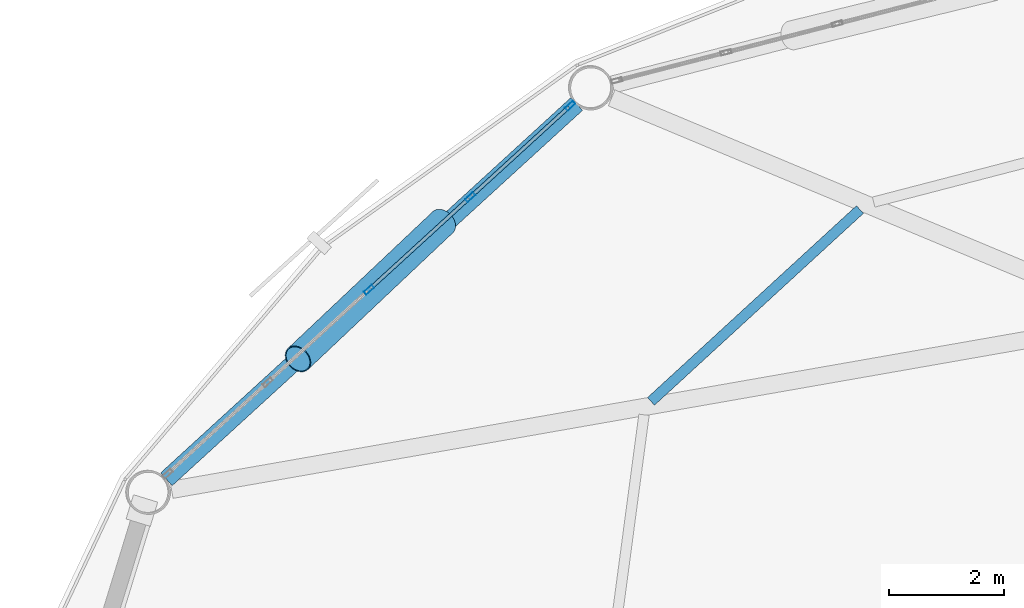
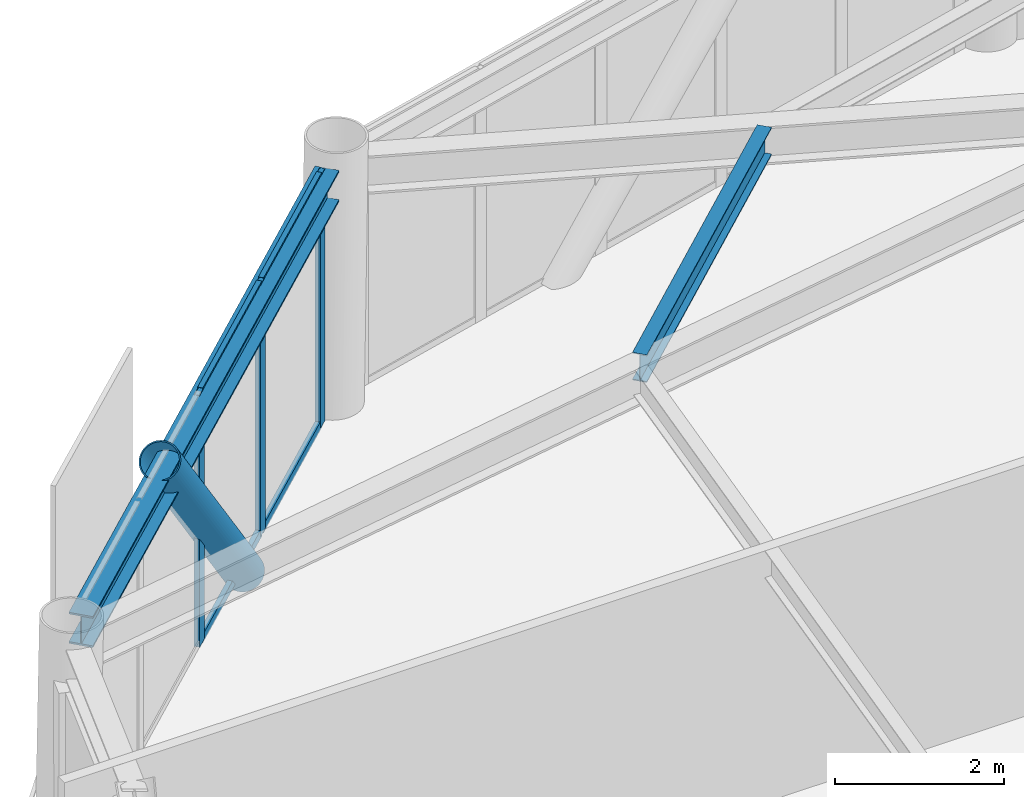
# One storey, part 15 of 25: 8 members, 2 beams, 1 element without a shape of its own.
"""IFC4 building model written with IfcOpenShell, lengths in metres."""

import ifcopenshell
import ifcopenshell.guid

model = None  # the IFC model being written
_history = None  # IfcOwnerHistory: only IFC2X3 demands one
_inside = {}  # id of a spatial element -> (the spatial element, [elements in it])
_under = {}  # id of a project, library or spatial element -> (it, [spatial elements below it])
_declared = {}  # id of a project -> (the project, [libraries it declares])
_typed = {}  # id of a type object -> (the type object, [elements of that type])
_made_of = {}  # id of a material, layer set ... -> (it, [elements and type objects made of it])


def new_model(schema):
    """Start an empty IFC model of exactly this schema.

    Asked for "IFC4X3", IfcOpenShell would pick the latest addendum, in which some entities
    have other attributes; the version numbers below select the first issue.
    IFC2X3 requires an IfcOwnerHistory on every rooted entity: one is made here for all.
    """
    global model, _history
    if schema == "IFC4X3":
        model = ifcopenshell.file(schema_version=(4, 3, 0, 0))
    else:
        model = ifcopenshell.file(schema=schema)
    _inside.clear()
    _under.clear()
    _declared.clear()
    _typed.clear()
    _made_of.clear()
    _history = None
    if model.schema == "IFC2X3":
        org = make("IfcOrganization", Name="unknown")
        user = make(
            "IfcPersonAndOrganization",
            ThePerson=make("IfcPerson", FamilyName="unknown"),
            TheOrganization=org,
        )
        app = make(
            "IfcApplication",
            ApplicationDeveloper=org,
            Version="unknown",
            ApplicationFullName="unknown",
            ApplicationIdentifier="unknown",
        )
        _history = make(
            "IfcOwnerHistory",
            OwningUser=user,
            OwningApplication=app,
            ChangeAction="ADDED",
            CreationDate=0,
        )
    return model


def make(cls, **values):
    """One entity of the class cls with the attributes given. An attribute that is None is left unset."""
    return model.create_entity(
        cls, **{name: value for name, value in values.items() if value is not None}
    )


def rooted(cls, **values):
    """An entity with a GlobalId (a new one), such as an element, a storey or a relation."""
    return make(cls, GlobalId=ifcopenshell.guid.new(), OwnerHistory=_history, **values)


def si_unit(unit_type, name, prefix=None):
    """IfcSIUnit, for example si_unit("LENGTHUNIT", "METRE", prefix="MILLI")."""
    return make("IfcSIUnit", UnitType=unit_type, Prefix=prefix, Name=name)


def assignment(units):
    """IfcUnitAssignment: the units of a project."""
    return None if units is None else make("IfcUnitAssignment", Units=units)


def point(xyz):
    """IfcCartesianPoint."""
    return None if xyz is None else make("IfcCartesianPoint", Coordinates=xyz)


def direction(xyz):
    """IfcDirection."""
    return None if xyz is None else make("IfcDirection", DirectionRatios=xyz)


def frame(location, z_axis=None, x_axis=None):
    """IfcAxis2Placement3D, a coordinate frame: its origin and axes. An axis left out is left unset."""
    return make(
        "IfcAxis2Placement3D",
        Location=point(location),
        Axis=direction(z_axis),
        RefDirection=direction(x_axis),
    )


def frame_2d(location, x_axis=None):
    """IfcAxis2Placement2D, a coordinate frame in the plane: its origin and x axis."""
    return make(
        "IfcAxis2Placement2D", Location=point(location), RefDirection=direction(x_axis)
    )


def origin():
    """The frame at (0, 0, 0) with its axes left unset."""
    return frame((0.0, 0.0, 0.0))


def origin_2d():
    """The frame at (0, 0) in the plane with its x axis left unset."""
    return frame_2d((0.0, 0.0))


def place(relative_to, where):
    """IfcLocalPlacement: puts the frame where relative to a parent placement (None: the world)."""
    return make(
        "IfcLocalPlacement", PlacementRelTo=relative_to, RelativePlacement=where
    )


def context(
    kind, dimensions, precision=None, world=None, true_north=None, identifier=None
):
    """IfcGeometricRepresentationContext, for example the 3D "Model" context."""
    return make(
        "IfcGeometricRepresentationContext",
        ContextIdentifier=identifier,
        ContextType=kind,
        CoordinateSpaceDimension=dimensions,
        Precision=precision,
        WorldCoordinateSystem=world,
        TrueNorth=true_north,
    )


def subcontext(parent, identifier, kind, view, scale=None):
    """IfcGeometricRepresentationSubContext, for example "Body" below "Model"."""
    return make(
        "IfcGeometricRepresentationSubContext",
        ContextIdentifier=identifier,
        ContextType=kind,
        ParentContext=parent,
        TargetScale=scale,
        TargetView=view,
    )


def project(units=None, contexts=None):
    """IfcProject with its units and contexts."""
    return rooted(
        "IfcProject",
        Name="project",
        RepresentationContexts=contexts,
        UnitsInContext=assignment(units),
    )


def spatial(cls, under=None, at=None, **own):
    """A site, building, storey or space (cls), placed at a placement, below another one or the project."""
    s = rooted(cls, ObjectPlacement=at, **own)
    if under is not None:
        _under.setdefault(under.id(), (under, []))[1].append(s)
    return s


def profile(cls, at=None, kind="AREA", **sizes):
    """A parametric profile (cls). Its sizes go by their IFC names, for example OverallWidth=200.0."""
    return make(cls, ProfileType=kind, Position=at, **sizes)


def hollow_rectangle(**sizes):
    """IfcRectangleHollowProfileDef."""
    return profile("IfcRectangleHollowProfileDef", **sizes)


def hollow_circle(**sizes):
    """IfcCircleHollowProfileDef."""
    return profile("IfcCircleHollowProfileDef", **sizes)


def i_section(**sizes):
    """IfcIShapeProfileDef."""
    return profile("IfcIShapeProfileDef", **sizes)


def extrude(swept, where, along, depth):
    """IfcExtrudedAreaSolid: the profile swept, set in the frame where, extruded along a direction by depth."""
    return make(
        "IfcExtrudedAreaSolid",
        SweptArea=swept,
        Position=where,
        ExtrudedDirection=direction(along),
        Depth=depth,
    )


def shape(context_of_items, identifier, shape_type, items):
    """IfcShapeRepresentation: the items that make up one representation, for example the "Body"."""
    return make(
        "IfcShapeRepresentation",
        ContextOfItems=context_of_items,
        RepresentationIdentifier=identifier,
        RepresentationType=shape_type,
        Items=items,
    )


def material(Name=None, Category=None):
    """IfcMaterial."""
    return make("IfcMaterial", Name=Name, Category=Category)


def layer(
    of_material, thickness, ventilated=None, Name=None, Category=None, Priority=None
):
    """IfcMaterialLayer: one layer of a wall or slab, of a material (None: an air gap)."""
    return make(
        "IfcMaterialLayer",
        Material=of_material,
        LayerThickness=thickness,
        IsVentilated=ventilated,
        Name=Name,
        Category=Category,
        Priority=Priority,
    )


def layer_set(layers, Name=None):
    """IfcMaterialLayerSet."""
    return make("IfcMaterialLayerSet", MaterialLayers=layers, LayerSetName=Name)


def material_profile(
    of_material, cross_section, Name=None, Category=None, Priority=None
):
    """IfcMaterialProfile: a cross section and its material."""
    return make(
        "IfcMaterialProfile",
        Name=Name,
        Material=of_material,
        Profile=cross_section,
        Priority=Priority,
        Category=Category,
    )


def profile_set(profiles, Name=None, composite=None):
    """IfcMaterialProfileSet."""
    return make(
        "IfcMaterialProfileSet",
        Name=Name,
        MaterialProfiles=profiles,
        CompositeProfile=composite,
    )


def made_of(thing, what):
    """Note that an element or type object is made of a material, layer set ...; save() writes the relation."""
    if what is not None:
        _made_of.setdefault(what.id(), (what, []))[1].append(thing)
    return thing


def type_object(cls, material=None, **own):
    """A type object (cls), such as IfcWallType, which elements share."""
    return made_of(rooted(cls, **own), material)


def element(
    cls,
    number,
    at=None,
    inside=None,
    cuts=None,
    type_object=None,
    material=None,
    context=None,
    identifier="Body",
    shape_type=None,
    held_by="IfcProductDefinitionShape",
    body=None,
    shapes=None,
    **own,
):
    """One element of the class cls, such as IfcWall. Its Tag is "e" and its number.

    at: its placement. inside: the storey or other place that contains it. cuts: it is an
    opening in that element (IfcRelVoidsElement). A single representation is given by context,
    identifier, shape_type and body (its items); several are given by shapes. held_by: the class
    of the entity that holds the representations. save() writes the other relations.
    """
    e = rooted(cls, Tag="e%d" % number, ObjectPlacement=at, **own)
    if body is not None:
        shapes = [shape(context, identifier, shape_type, body)]
    if shapes is not None:
        e.Representation = make(held_by, Representations=shapes)
    if inside is not None:
        _inside.setdefault(inside.id(), (inside, []))[1].append(e)
    if cuts is not None:
        rooted(
            "IfcRelVoidsElement", RelatingBuildingElement=cuts, RelatedOpeningElement=e
        )
    if type_object is not None:
        _typed.setdefault(type_object.id(), (type_object, []))[1].append(e)
    return made_of(e, material)


def aggregate(whole, parts):
    """IfcRelAggregates: a whole, such as a stair, and the parts it consists of."""
    return rooted("IfcRelAggregates", RelatingObject=whole, RelatedObjects=parts)


def save(model, path):
    """Write the relations noted so far, then the file.

    IfcRelAggregates (storeys below a building ...), IfcRelContainedInSpatialStructure (elements
    in a storey), IfcRelDefinesByType, IfcRelAssociatesMaterial and IfcRelDeclares: one each for
    every whole, place, type object, material and project.
    """
    for whole, parts in _under.values():
        aggregate(whole, parts)
    for where, things in _inside.values():
        rooted(
            "IfcRelContainedInSpatialStructure",
            RelatedElements=things,
            RelatingStructure=where,
        )
    for kind, things in _typed.values():
        rooted("IfcRelDefinesByType", RelatedObjects=things, RelatingType=kind)
    for what, things in _made_of.values():
        rooted("IfcRelAssociatesMaterial", RelatedObjects=things, RelatingMaterial=what)
    for by, libraries in _declared.values():
        rooted("IfcRelDeclares", RelatingContext=by, RelatedDefinitions=libraries)
    model.write(path)


model = new_model("IFC4")

# Units and contexts
model_context = context("Model", 3, precision=1e-05, world=origin(), true_north=direction((0.0, 1.0)))
body_context = subcontext(model_context, "Body", "Model", "MODEL_VIEW")
ifc_project = project(units=[si_unit("LENGTHUNIT", "METRE"), si_unit("AREAUNIT", "SQUARE_METRE"), si_unit("VOLUMEUNIT", "CUBIC_METRE"), si_unit("PLANEANGLEUNIT", "RADIAN"), si_unit("MASSUNIT", "GRAM", prefix="KILO")], contexts=[model_context])

# Site, building, storey
site_placement = place(None, origin())
site = spatial("IfcSite", under=ifc_project, at=site_placement, CompositionType="ELEMENT")
building_placement = place(site_placement, origin())
building = spatial("IfcBuilding", under=site, at=building_placement, Name="Varnakorn Sky Granary", CompositionType="ELEMENT")
storey_placement = place(building_placement, frame((0.0, 0.0, 126.60009765625)))
storey = spatial("IfcBuildingStorey", under=building, at=storey_placement, Name="L31", CompositionType="ELEMENT", Elevation=126.60009765625)

# Beams
ifc_material_1 = material(Name="Steel S355JR", Category="steel")
ifc_material_profile_1 = material_profile(ifc_material_1, i_section(OverallWidth=0.179931640625, OverallDepth=0.39990234375, WebThickness=0.008544921875, FlangeThickness=0.013427734375, at=origin_2d()), Name="IPE 400")
ifc_profile_set_1 = profile_set([ifc_material_profile_1], Name="Steel S355JR")
beam_type_1 = type_object("IfcBeamType", Name="BM-SEC-Z3", PredefinedType="BEAM", material=ifc_profile_set_1)
beam_1_placement = place(storey_placement, frame((-7.33349609375, 14.53564453125, 3.43994140625), z_axis=(-0.736613873915, -0.676313537315, 0.0), x_axis=(0.676313537315, -0.736613873915, 0.0)))
element("IfcBeam", 1, at=beam_1_placement, inside=storey, type_object=beam_type_1, Name="Secondary Floor Chord Beam MSB05 L31", PredefinedType="BEAM", context=body_context, shape_type="SweptSolid", body=[
    extrude(i_section(OverallWidth=0.179931640625, OverallDepth=0.39990234375, WebThickness=0.008544921875, FlangeThickness=0.013427734375, at=origin_2d()), origin(), (0.0, 0.0, 1.0), 4.935302734375),
])
ifc_material_profile_2 = material_profile(ifc_material_1, i_section(OverallWidth=0.300048828125, OverallDepth=0.449951171875, WebThickness=0.013916015625, FlangeThickness=0.02587890625, at=origin_2d()), Name="HE 450 B")
ifc_profile_set_2 = profile_set([ifc_material_profile_2], Name="Steel S355JR")
beam_type_2 = type_object("IfcBeamType", Name="BM-SPD-Z3", PredefinedType="SPANDREL", material=ifc_profile_set_2)
beam_2_placement = place(storey_placement, frame((-12.260986328125, 16.372802734375, 3.414794921875), z_axis=(-0.737906735451, -0.674902696524, 0.0), x_axis=(0.674902696524, -0.737906735451, 0.0)))
element("IfcBeam", 2, at=beam_2_placement, inside=storey, type_object=beam_type_2, Name="Perimeter Spandrel Ring Beam RB05 L31", PredefinedType="SPANDREL", context=body_context, shape_type="SweptSolid", body=[
    extrude(i_section(OverallWidth=0.300048828125, OverallDepth=0.449951171875, WebThickness=0.013916015625, FlangeThickness=0.02587890625, at=origin_2d()), origin(), (0.0, 0.0, 1.0), 9.67578125),
])

# Curtain wall, members
ifc_material_2 = material(Name="Anodised Bronze Aluminium Alloy 6063-T6", Category="aluminium")
ifc_layer = layer(ifc_material_2, 0.179931640625, Name="Anodised Bronze Aluminium Alloy 6063-T6")
ifc_layer_set = layer_set([ifc_layer], Name="Anodised Bronze Aluminium Alloy 6063-T6")
curtain_wall_type = type_object("IfcCurtainWallType", Name="CW-FRM-2", PredefinedType="USERDEFINED", material=ifc_layer_set)
curtain_wall_placement = place(storey_placement, origin())
curtain_wall = element("IfcCurtainWall", 3, at=curtain_wall_placement, inside=storey, type_object=curtain_wall_type, Name="Unitised Curtain Wall CW4 CW-L31-B05", ObjectType="CURTAIN WALL", PredefinedType="USERDEFINED")
ifc_material_profile_3 = material_profile(ifc_material_2, hollow_rectangle(XDim=0.070068359375, YDim=0.18505859375, WallThickness=0.00390625, at=origin_2d()), Name="ALU MULL 70x185")
ifc_profile_set_3 = profile_set([ifc_material_profile_3], Name="Anodised Bronze Aluminium Alloy 6063-T6")
member_type_1 = type_object("IfcMemberType", Name="CW-FRM-2-MULL", PredefinedType="MULLION", material=ifc_profile_set_3)
member_1_placement = place(storey_placement, frame((-15.8759765625, 13.140380859375, 0.0), z_axis=(0.0, 0.0, 1.0), x_axis=(-0.674680923597, 0.738109511749, 0.0)))
member_1 = element("IfcMember", 4, at=member_1_placement, type_object=member_type_1, Name="CW4 mullion 3", PredefinedType="MULLION", context=body_context, shape_type="SweptSolid", body=[
    extrude(hollow_rectangle(XDim=0.070068359375, YDim=0.18505859375, WallThickness=0.00390625, at=origin_2d()), origin(), (0.0, 0.0, 1.0), 3.639892578125),
])
member_2_placement = place(storey_placement, frame((-14.11279296875, 14.752197265625, 0.0), z_axis=(0.0, 0.0, 1.0), x_axis=(-0.674680923597, 0.738109511749, 0.0)))
member_2 = element("IfcMember", 5, at=member_2_placement, type_object=member_type_1, Name="CW4 mullion 4", PredefinedType="MULLION", context=body_context, shape_type="SweptSolid", body=[
    extrude(hollow_rectangle(XDim=0.070068359375, YDim=0.18505859375, WallThickness=0.00390625, at=origin_2d()), origin(), (0.0, 0.0, 1.0), 3.639892578125),
])
member_3_placement = place(storey_placement, frame((-12.375244140625, 16.34033203125, 0.0), z_axis=(0.0, 0.0, 1.0), x_axis=(-0.674680923597, 0.738109511749, 0.0)))
member_3 = element("IfcMember", 6, at=member_3_placement, type_object=member_type_1, Name="CW4 mullion 5", PredefinedType="MULLION", context=body_context, shape_type="SweptSolid", body=[
    extrude(hollow_rectangle(XDim=0.070068359375, YDim=0.18505859375, WallThickness=0.00390625, at=origin_2d()), origin(), (0.0, 0.0, 1.0), 3.639892578125),
])
ifc_material_profile_4 = material_profile(ifc_material_2, hollow_rectangle(XDim=0.06494140625, YDim=0.1201171875, WallThickness=0.00341796875, at=origin_2d()), Name="ALU TRAN 65x120")
ifc_profile_set_4 = profile_set([ifc_material_profile_4], Name="Anodised Bronze Aluminium Alloy 6063-T6")
member_type_2 = type_object("IfcMemberType", Name="CW-FRM-2-TRAN", PredefinedType="USERDEFINED", material=ifc_profile_set_4)
member_4_placement = place(storey_placement, frame((-15.85009765625, 13.1640625, 0.032470703125), z_axis=(0.73808873451, 0.674703653458, 0.0), x_axis=(-0.674703653458, 0.73808873451, 0.0)))
member_4 = element("IfcMember", 7, at=member_4_placement, type_object=member_type_2, Name="CW4 transom 3.1", ObjectType="TRANSOM", PredefinedType="USERDEFINED", context=body_context, shape_type="SweptSolid", body=[
    extrude(hollow_rectangle(XDim=0.06494140625, YDim=0.1201171875, WallThickness=0.00341796875, at=origin_2d()), origin(), (0.0, 0.0, 1.0), 2.31884765625),
])
member_5_placement = place(storey_placement, frame((-15.85009765625, 13.1640625, 3.607421875), z_axis=(0.73808873451, 0.674703653458, 0.0), x_axis=(-0.674703653458, 0.73808873451, 0.0)))
member_5 = element("IfcMember", 8, at=member_5_placement, type_object=member_type_2, Name="CW4 transom 3.2", ObjectType="TRANSOM", PredefinedType="USERDEFINED", context=body_context, shape_type="SweptSolid", body=[
    extrude(hollow_rectangle(XDim=0.06494140625, YDim=0.1201171875, WallThickness=0.00341796875, at=origin_2d()), origin(), (0.0, 0.0, 1.0), 2.31884765625),
])
member_6_placement = place(storey_placement, frame((-14.0869140625, 14.77587890625, 0.032470703125), z_axis=(0.738142878572, 0.674644418055, 0.0), x_axis=(-0.674644418055, 0.738142878572, 0.0)))
member_6 = element("IfcMember", 9, at=member_6_placement, type_object=member_type_2, Name="CW4 transom 4.1", ObjectType="TRANSOM", PredefinedType="USERDEFINED", context=body_context, shape_type="SweptSolid", body=[
    extrude(hollow_rectangle(XDim=0.06494140625, YDim=0.1201171875, WallThickness=0.00341796875, at=origin_2d()), origin(), (0.0, 0.0, 1.0), 2.283935546875),
])
member_7_placement = place(storey_placement, frame((-14.0869140625, 14.77587890625, 3.607421875), z_axis=(0.738142878572, 0.674644418055, 0.0), x_axis=(-0.674644418055, 0.738142878572, 0.0)))
member_7 = element("IfcMember", 10, at=member_7_placement, type_object=member_type_2, Name="CW4 transom 4.2", ObjectType="TRANSOM", PredefinedType="USERDEFINED", context=body_context, shape_type="SweptSolid", body=[
    extrude(hollow_rectangle(XDim=0.06494140625, YDim=0.1201171875, WallThickness=0.00341796875, at=origin_2d()), origin(), (0.0, 0.0, 1.0), 2.283935546875),
])
aggregate(curtain_wall, [member_1, member_2, member_3, member_4, member_5, member_6, member_7])

# Member
ifc_material_3 = material(Name="Steel S460M", Category="steel")
ifc_material_profile_5 = material_profile(ifc_material_3, hollow_circle(Radius=0.25390625, WallThickness=0.01806640625, at=origin_2d()), Name="CHS 508x18")
ifc_profile_set_5 = profile_set([ifc_material_profile_5], Name="Steel S460M")
member_type_3 = type_object("IfcMemberType", Name="MB-DIAG-T2", PredefinedType="BRACE", material=ifc_profile_set_5)
member_8_placement = place(storey_placement, frame((-14.592041015625, 14.314208984375, -0.130126953125), z_axis=(-0.481532824977, -0.454462064243, 0.749393335061), x_axis=(0.68636889604, -0.727253558636, 0.0)))
element("IfcMember", 11, at=member_8_placement, inside=storey, type_object=member_type_3, Name="Perimeter CHS Diagrid Brace DG05 L31", PredefinedType="BRACE", context=body_context, shape_type="SweptSolid", body=[
    extrude(hollow_circle(Radius=0.25390625, WallThickness=0.01806640625, at=origin_2d()), origin(), (0.0, 0.0, 1.0), 5.230712890625),
])

save(model, "model.ifc")
